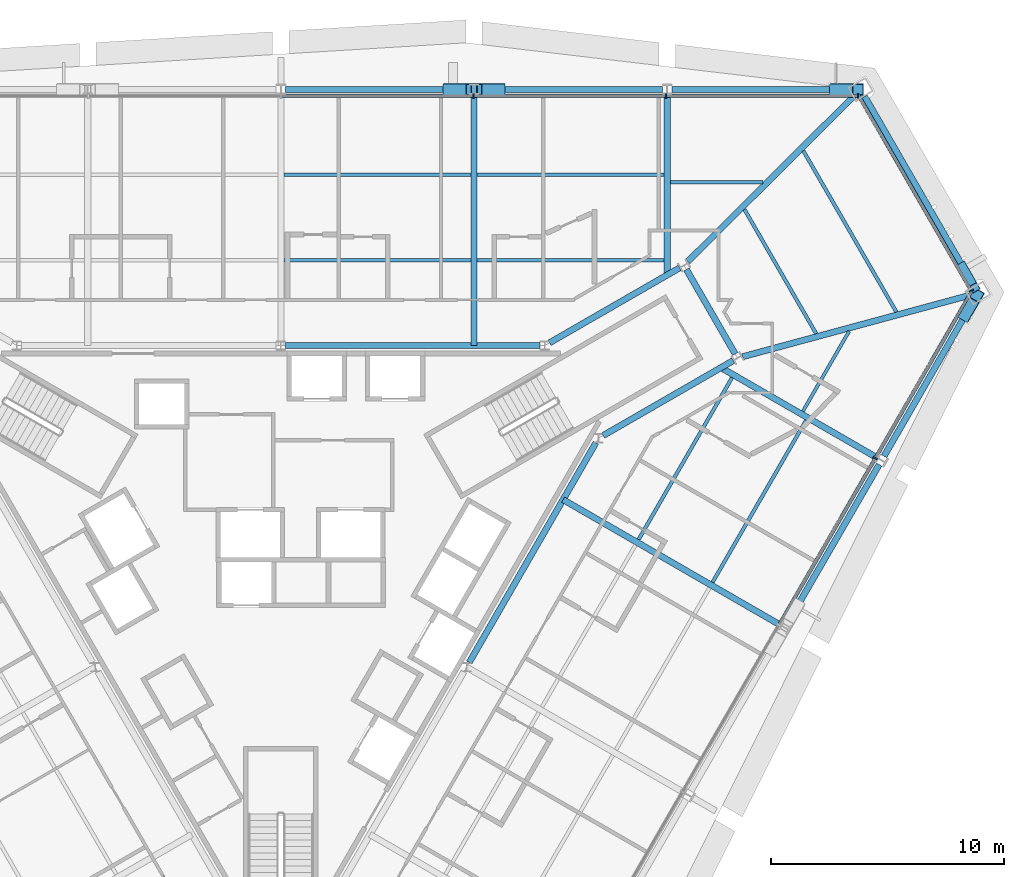
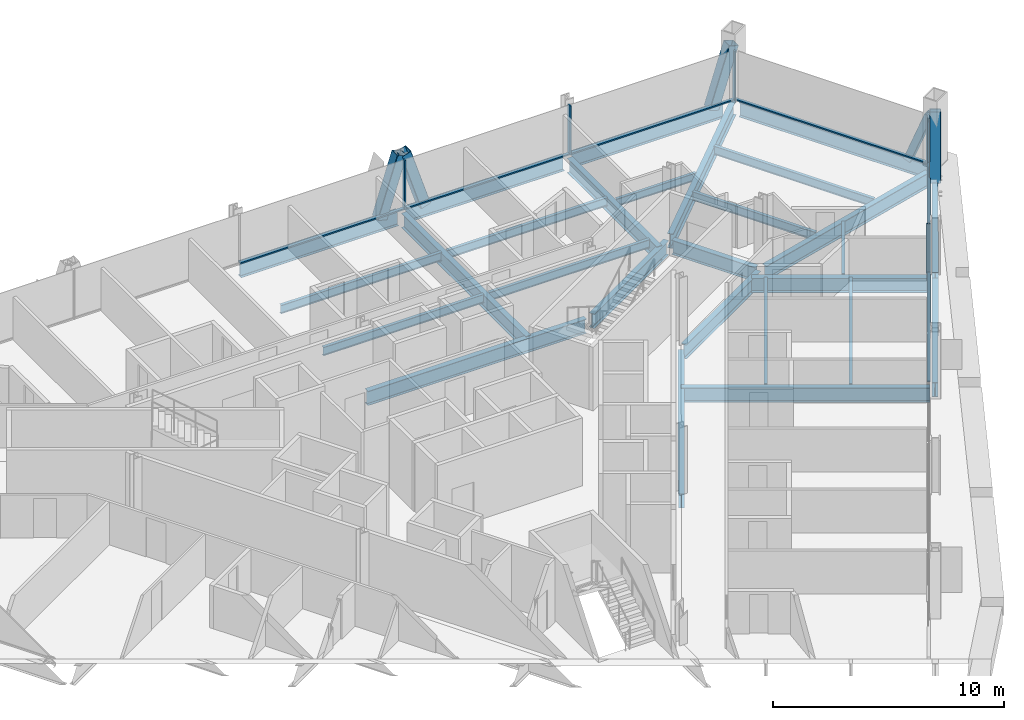
# One storey, part 8 of 17: 27 beams, 16 members, 3 elements without a shape of their own.
"""IFC4 building model written with IfcOpenShell, lengths in metres."""

from ifc_helpers import new_model, si_unit, direction, frame, origin, origin_2d, place, context, subcontext, project, spatial, rectangle, hollow_rectangle, i_section, extrude, material, material_profile, profile_set, type_object, element, aggregate, save


model = new_model("IFC4")

# Units and contexts
model_context = context("Model", 3, precision=1e-05, world=origin(), true_north=direction((0.0, 1.0)))
body_context = subcontext(model_context, "Body", "Model", "MODEL_VIEW")
ifc_project = project(units=[si_unit("LENGTHUNIT", "METRE"), si_unit("AREAUNIT", "SQUARE_METRE"), si_unit("VOLUMEUNIT", "CUBIC_METRE"), si_unit("PLANEANGLEUNIT", "RADIAN"), si_unit("MASSUNIT", "GRAM", prefix="KILO")], contexts=[model_context])

# Site, building, storey
site_placement = place(None, origin())
site = spatial("IfcSite", under=ifc_project, at=site_placement, CompositionType="ELEMENT")
building_placement = place(site_placement, origin())
building = spatial("IfcBuilding", under=site, at=building_placement, Name="Verrane Prism Tower", CompositionType="ELEMENT")
storey_placement = place(building_placement, frame((0.0, 0.0, 139.60009765625)))
storey = spatial("IfcBuildingStorey", under=building, at=storey_placement, Name="L34", CompositionType="ELEMENT", Elevation=139.60009765625)

# Member
ifc_material_1 = material(Name="Steel A500 Grade C", Category="steel")
ifc_material_profile_1 = material_profile(ifc_material_1, hollow_rectangle(XDim=0.355712890625, YDim=0.355712890625, WallThickness=0.0126953125, InnerFilletRadius=0.00634765625, OuterFilletRadius=0.01904296875, at=origin_2d()), Name="HSS14x14x1/2")
ifc_profile_set_1 = profile_set([ifc_material_profile_1], Name="Steel A500 Grade C")
member_type_1 = type_object("IfcMemberType", Name="Chamfer brace HSS14x14x1/2", PredefinedType="BRACE", material=ifc_profile_set_1)
member_1_placement = place(storey_placement, frame((29.258056640625, 12.597900390625, -0.2451171875), z_axis=(0.181434730397, -0.31463252923, 0.931712300099), x_axis=(0.866285721922, 0.499548844452, 0.0)))
element("IfcMember", 1, at=member_1_placement, inside=storey, type_object=member_type_1, Name="Chamfer brace NE0 L34", PredefinedType="BRACE", context=body_context, shape_type="SweptSolid", body=[
    extrude(hollow_rectangle(XDim=0.355712890625, YDim=0.355712890625, WallThickness=0.0126953125, InnerFilletRadius=0.00634765625, OuterFilletRadius=0.01904296875, at=origin_2d()), origin(), (0.0, 0.0, 1.0), 2.9052734375),
])

# Beams
ifc_material_2 = material(Name="Steel A992", Category="steel")
ifc_material_profile_2 = material_profile(ifc_material_2, i_section(OverallWidth=0.2666015625, OverallDepth=0.76708984375, WebThickness=0.014892578125, FlangeThickness=0.023681640625, FilletRadius=0.0166015625, at=origin_2d()), Name="W30x124")
ifc_profile_set_2 = profile_set([ifc_material_profile_2], Name="Steel A992")
beam_type_1 = type_object("IfcBeamType", Name="Chamfer spandrel beam W30x124", PredefinedType="SPANDREL", material=ifc_profile_set_2)
beam_1_placement = place(storey_placement, frame((29.7451171875, 11.753173828125, -0.543701171875), z_axis=(-0.499562619687, 0.866277778205, 0.0), x_axis=(-0.866277778205, -0.499562619687, 0.0)))
element("IfcBeam", 2, at=beam_1_placement, inside=storey, type_object=beam_type_1, Name="Chamfer spandrel beam L34", PredefinedType="SPANDREL", context=body_context, shape_type="SweptSolid", body=[
    extrude(i_section(OverallWidth=0.2666015625, OverallDepth=0.76708984375, WebThickness=0.014892578125, FlangeThickness=0.023681640625, FilletRadius=0.0166015625, at=origin_2d()), origin(), (0.0, 0.0, 1.0), 9.38916015625),
])
ifc_material_3 = material(Name="Steel A992", Category="steel")
ifc_material_profile_3 = material_profile(ifc_material_3, i_section(OverallWidth=0.2666015625, OverallDepth=0.7568359375, WebThickness=0.013916015625, FlangeThickness=0.019287109375, FilletRadius=0.0166015625, at=origin_2d()), Name="W30x108")
ifc_profile_set_3 = profile_set([ifc_material_profile_3], Name="Steel A992")
beam_type_2 = type_object("IfcBeamType", Name="Core ring girder W30x108", PredefinedType="BEAM", material=ifc_profile_set_3)
beam_2_placement = place(storey_placement, frame((13.830810546875, 5.335693359375, -0.628662109375), z_axis=(0.866455532004, 0.499254254924, 0.0), x_axis=(-0.499254254924, 0.866455532004, 0.0)))
element("IfcBeam", 3, at=beam_2_placement, inside=storey, type_object=beam_type_2, Name="Core ring girder L34", PredefinedType="BEAM", context=body_context, shape_type="SweptSolid", body=[
    extrude(i_section(OverallWidth=0.2666015625, OverallDepth=0.7568359375, WebThickness=0.013916015625, FlangeThickness=0.019287109375, FilletRadius=0.0166015625, at=origin_2d()), origin(), (0.0, 0.0, 1.0), 6.441162109375),
])
beam_3_placement = place(storey_placement, frame((19.4970703125, 8.838134765625, -0.628662109375), z_axis=(-0.500367003619, 0.865813410435, 0.0), x_axis=(-0.865813410435, -0.500367003619, 0.0)))
element("IfcBeam", 4, at=beam_3_placement, inside=storey, type_object=beam_type_2, Name="Core ring girder L34", PredefinedType="BEAM", context=body_context, shape_type="SweptSolid", body=[
    extrude(i_section(OverallWidth=0.2666015625, OverallDepth=0.7568359375, WebThickness=0.013916015625, FlangeThickness=0.019287109375, FilletRadius=0.0166015625, at=origin_2d()), origin(), (0.0, 0.0, 1.0), 4.185302734375),
])
beam_4_placement = place(storey_placement, frame((17.11181640625, 12.531494140625, -0.628662109375), z_axis=(-0.866455532004, -0.499254254924, 0.0), x_axis=(0.499254254924, -0.866455532004, 0.0)))
element("IfcBeam", 5, at=beam_4_placement, inside=storey, type_object=beam_type_2, Name="Core ring girder L34", PredefinedType="BEAM", context=body_context, shape_type="SweptSolid", body=[
    extrude(i_section(OverallWidth=0.2666015625, OverallDepth=0.7568359375, WebThickness=0.013916015625, FlangeThickness=0.019287109375, FilletRadius=0.0166015625, at=origin_2d()), origin(), (0.0, 0.0, 1.0), 6.441162109375),
])
beam_5_placement = place(storey_placement, frame((11.12939453125, 9.199951171875, -0.628662109375), z_axis=(-1.0, 0.0, 0.0), x_axis=(0.0, -1.0, 0.0)))
element("IfcBeam", 6, at=beam_5_placement, inside=storey, type_object=beam_type_2, Name="Core ring girder L34", PredefinedType="BEAM", context=body_context, shape_type="SweptSolid", body=[
    extrude(i_section(OverallWidth=0.2666015625, OverallDepth=0.7568359375, WebThickness=0.013916015625, FlangeThickness=0.019287109375, FilletRadius=0.0166015625, at=origin_2d()), origin(), (0.0, 0.0, 1.0), 10.9287109375),
])
beam_6_placement = place(storey_placement, frame((8.0849609375, -4.400634765625, -0.628662109375), z_axis=(0.4993706109, 0.866388476937, 0.0), x_axis=(-0.866388476937, 0.4993706109, 0.0)))
element("IfcBeam", 7, at=beam_6_placement, inside=storey, type_object=beam_type_2, Name="Core ring girder L34", PredefinedType="BEAM", context=body_context, shape_type="SweptSolid", body=[
    extrude(i_section(OverallWidth=0.2666015625, OverallDepth=0.7568359375, WebThickness=0.013916015625, FlangeThickness=0.019287109375, FilletRadius=0.0166015625, at=origin_2d()), origin(), (0.0, 0.0, 1.0), 10.8740234375),
])
ifc_material_4 = material(Name="Steel A992", Category="steel")
ifc_material_profile_4 = material_profile(ifc_material_4, i_section(OverallWidth=0.2666015625, OverallDepth=0.76708984375, WebThickness=0.014892578125, FlangeThickness=0.023681640625, FilletRadius=0.0166015625, at=origin_2d()), Name="W30x124")
ifc_profile_set_4 = profile_set([ifc_material_profile_4], Name="Steel A992")
beam_type_3 = type_object("IfcBeamType", Name="Corner girder W30x124", PredefinedType="BEAM", material=ifc_profile_set_4)
beam_7_placement = place(storey_placement, frame((29.470458984375, 11.32861328125, -0.603515625), z_axis=(-0.965337296085, -0.261005564666, 0.0), x_axis=(0.261005564666, -0.965337296085, 0.0)))
element("IfcBeam", 8, at=beam_7_placement, inside=storey, type_object=beam_type_3, Name="Corner girder L34", PredefinedType="BEAM", context=body_context, shape_type="SweptSolid", body=[
    extrude(i_section(OverallWidth=0.2666015625, OverallDepth=0.76708984375, WebThickness=0.014892578125, FlangeThickness=0.023681640625, FilletRadius=0.0166015625, at=origin_2d()), origin(), (0.0, 0.0, 1.0), 10.000244140625),
])
beam_8_placement = place(storey_placement, frame((24.87744140625, 20.1875, -0.603515625), z_axis=(-0.708504451499, -0.705706342756, 0.0), x_axis=(0.705706342756, -0.708504451499, 0.0)))
element("IfcBeam", 9, at=beam_8_placement, inside=storey, type_object=beam_type_3, Name="Corner girder L34", PredefinedType="BEAM", context=body_context, shape_type="SweptSolid", body=[
    extrude(i_section(OverallWidth=0.2666015625, OverallDepth=0.76708984375, WebThickness=0.014892578125, FlangeThickness=0.023681640625, FilletRadius=0.0166015625, at=origin_2d()), origin(), (0.0, 0.0, 1.0), 10.47021484375),
])

# Members
ifc_material_5 = material(Name="Steel A1085 Grade A", Category="steel")
ifc_material_profile_5 = material_profile(ifc_material_5, hollow_rectangle(XDim=0.508056640625, YDim=0.508056640625, WallThickness=0.025390625, InnerFilletRadius=0.0126953125, OuterFilletRadius=0.0380859375, at=origin_2d()), Name="HSS20x20x1")
ifc_profile_set_5 = profile_set([ifc_material_profile_5], Name="Steel A1085 Grade A")
member_type_2 = type_object("IfcMemberType", Name="Facade brace HSS20x20x1", PredefinedType="BRACE", material=ifc_profile_set_5)
for number, where, z_axis, x_axis, name in (
    (10, (23.7890625, 20.18994140625, -0.24267578125), (0.304789478782, 0.0, 0.952419746553), (0.0, 1.0, 0.0), "Facade brace N0 L34"),
    (11, (9.379638671875, 20.18994140625, -0.24267578125), (-0.304926985074, 0.0, 0.952375731407), (0.0, -1.0, 0.0), "Facade brace N1 L34"),
):
    element("IfcMember", number, at=place(storey_placement, frame(where, z_axis=z_axis, x_axis=x_axis)), inside=storey, type_object=member_type_2, Name=name, PredefinedType="BRACE", context=body_context, shape_type="SweptSolid", body=[
        extrude(hollow_rectangle(XDim=0.508056640625, YDim=0.508056640625, WallThickness=0.025390625, InnerFilletRadius=0.0126953125, OuterFilletRadius=0.0380859375, at=origin_2d()), origin(), (0.0, 0.0, 1.0), 3.220947265625),
    ])
member_2_placement = place(storey_placement, frame((7.20068359375, 20.18994140625, -0.24267578125), z_axis=(0.305888994956, 0.0, 0.952067183955), x_axis=(0.0, 1.0, 0.0)))
element("IfcMember", 12, at=member_2_placement, inside=storey, type_object=member_type_2, Name="Facade brace N2 L34", PredefinedType="BRACE", context=body_context, shape_type="SweptSolid", body=[
    extrude(hollow_rectangle(XDim=0.508056640625, YDim=0.508056640625, WallThickness=0.025390625, InnerFilletRadius=0.0126953125, OuterFilletRadius=0.0380859375, at=origin_2d()), origin(), (0.0, 0.0, 1.0), 3.22216796875),
])
member_3_placement = place(storey_placement, frame((29.3759765625, 10.506591796875, -0.24267578125), z_axis=(0.153391848025, 0.26396433136, 0.952257198833), x_axis=(-0.864615031163, 0.502434919056, 0.0)))
element("IfcMember", 13, at=member_3_placement, inside=storey, type_object=member_type_2, Name="Facade brace SE5 L34", PredefinedType="BRACE", context=body_context, shape_type="SweptSolid", body=[
    extrude(hollow_rectangle(XDim=0.508056640625, YDim=0.508056640625, WallThickness=0.025390625, InnerFilletRadius=0.0126953125, OuterFilletRadius=0.0380859375, at=origin_2d()), origin(), (0.0, 0.0, 1.0), 3.221435546875),
])

# Beams
ifc_material_6 = material(Name="Steel A992", Category="steel")
ifc_material_profile_6 = material_profile(ifc_material_6, i_section(OverallWidth=0.140380859375, OverallDepth=0.40380859375, WebThickness=0.007080078125, FlangeThickness=0.01123046875, FilletRadius=0.01025390625, at=origin_2d()), Name="W16x31")
ifc_profile_set_6 = profile_set([ifc_material_profile_6], Name="Steel A992")
beam_type_4 = type_object("IfcBeamType", Name="Floor beam W16x31", PredefinedType="BEAM", material=ifc_profile_set_6)
beam_9_placement = place(storey_placement, frame((16.71337890625, 16.2099609375, -0.362060546875), z_axis=(1.0, 0.0, 0.0), x_axis=(0.0, 1.0, 0.0)))
element("IfcBeam", 14, at=beam_9_placement, inside=storey, type_object=beam_type_4, Name="Floor beam L34", PredefinedType="BEAM", context=body_context, shape_type="SweptSolid", body=[
    extrude(i_section(OverallWidth=0.140380859375, OverallDepth=0.40380859375, WebThickness=0.007080078125, FlangeThickness=0.01123046875, FilletRadius=0.01025390625, at=origin_2d()), origin(), (0.0, 0.0, 1.0), 3.981689453125),
])
beam_10_placement = place(storey_placement, frame((22.40185546875, 6.37548828125, -0.362060546875), z_axis=(0.499972468829, 0.86604129833, 0.0), x_axis=(-0.86604129833, 0.499972468829, 0.0)))
element("IfcBeam", 15, at=beam_10_placement, inside=storey, type_object=beam_type_4, Name="Floor beam L34", PredefinedType="BEAM", context=body_context, shape_type="SweptSolid", body=[
    extrude(i_section(OverallWidth=0.140380859375, OverallDepth=0.40380859375, WebThickness=0.007080078125, FlangeThickness=0.01123046875, FilletRadius=0.01025390625, at=origin_2d()), origin(), (0.0, 0.0, 1.0), 3.972900390625),
])
ifc_material_7 = material(Name="Steel A992", Category="steel")
ifc_material_profile_7 = material_profile(ifc_material_7, i_section(OverallWidth=0.15234375, OverallDepth=0.449462890625, WebThickness=0.007568359375, FlangeThickness=0.0107421875, FilletRadius=0.01025390625, at=origin_2d()), Name="W18x35")
ifc_profile_set_7 = profile_set([ifc_material_profile_7], Name="Steel A992")
beam_type_5 = type_object("IfcBeamType", Name="Floor beam W18x35", PredefinedType="BEAM", material=ifc_profile_set_7)
for number, where, z_axis, x_axis, name in (
    (16, (8.423583984375, 12.86328125, -0.385009765625), (1.0, 0.0, 0.0), (0.0, 1.0, 0.0), "Floor beam L34"),
    (17, (8.423583984375, 16.526611328125, -0.385009765625), (1.0, 0.0, 0.0), (0.0, 1.0, 0.0), "Floor beam L34"),
    (18, (0.133544921875, 12.86328125, -0.385009765625), (1.0, 0.0, 0.0), (0.0, 1.0, 0.0), "Floor beam L34"),
    (19, (0.133544921875, 16.526611328125, -0.385009765625), (1.0, 0.0, 0.0), (0.0, 1.0, 0.0), "Floor beam L34"),
):
    element("IfcBeam", number, at=place(storey_placement, frame(where, z_axis=z_axis, x_axis=x_axis)), inside=storey, type_object=beam_type_5, Name=name, PredefinedType="BEAM", context=body_context, shape_type="SweptSolid", body=[
        extrude(i_section(OverallWidth=0.15234375, OverallDepth=0.449462890625, WebThickness=0.007568359375, FlangeThickness=0.0107421875, FilletRadius=0.01025390625, at=origin_2d()), origin(), (0.0, 0.0, 1.0), 8.02294921875),
    ])
beam_11_placement = place(storey_placement, frame((18.525634765625, -0.96240234375, -0.385009765625), z_axis=(0.499996300355, 0.866027539765, 0.0), x_axis=(-0.866027539765, 0.499996300355, 0.0)))
element("IfcBeam", 20, at=beam_11_placement, inside=storey, type_object=beam_type_5, Name="Floor beam L34", PredefinedType="BEAM", context=body_context, shape_type="SweptSolid", body=[
    extrude(i_section(OverallWidth=0.15234375, OverallDepth=0.449462890625, WebThickness=0.007568359375, FlangeThickness=0.0107421875, FilletRadius=0.01025390625, at=origin_2d()), origin(), (0.0, 0.0, 1.0), 8.02587890625),
])
beam_12_placement = place(storey_placement, frame((15.351318359375, 0.87158203125, -0.385009765625), z_axis=(0.499986657325, 0.866033107044, 0.0), x_axis=(-0.866033107044, 0.499986657325, 0.0)))
element("IfcBeam", 21, at=beam_12_placement, inside=storey, type_object=beam_type_5, Name="Floor beam L34", PredefinedType="BEAM", context=body_context, shape_type="SweptSolid", body=[
    extrude(i_section(OverallWidth=0.15234375, OverallDepth=0.449462890625, WebThickness=0.007568359375, FlangeThickness=0.0107421875, FilletRadius=0.01025390625, at=origin_2d()), origin(), (0.0, 0.0, 1.0), 8.025634765625),
])
beam_13_placement = place(storey_placement, frame((26.413818359375, 10.640380859375, -0.385009765625), z_axis=(-0.500003955024, 0.866023120338, 0.0), x_axis=(-0.866023120338, -0.500003955024, 0.0)))
element("IfcBeam", 22, at=beam_13_placement, inside=storey, type_object=beam_type_5, Name="Floor beam L34", PredefinedType="BEAM", context=body_context, shape_type="SweptSolid", body=[
    extrude(i_section(OverallWidth=0.15234375, OverallDepth=0.449462890625, WebThickness=0.007568359375, FlangeThickness=0.0107421875, FilletRadius=0.01025390625, at=origin_2d()), origin(), (0.0, 0.0, 1.0), 7.98291015625),
])
beam_14_placement = place(storey_placement, frame((22.971435546875, 9.709716796875, -0.385009765625), z_axis=(-0.499989277538, 0.866031594312, 0.0), x_axis=(-0.866031594312, -0.499989277538, 0.0)))
element("IfcBeam", 23, at=beam_14_placement, inside=storey, type_object=beam_type_5, Name="Floor beam L34", PredefinedType="BEAM", context=body_context, shape_type="SweptSolid", body=[
    extrude(i_section(OverallWidth=0.15234375, OverallDepth=0.449462890625, WebThickness=0.007568359375, FlangeThickness=0.0107421875, FilletRadius=0.01025390625, at=origin_2d()), origin(), (0.0, 0.0, 1.0), 6.151611328125),
])

# Curtain wall, member
ifc_material_8 = material(Name="Aluminium framed insulated glazing", Category="aluminium")
curtain_wall_type = type_object("IfcCurtainWallType", Name="Curtain wall CW-A 8400 module", PredefinedType="NOTDEFINED", material=ifc_material_8)
curtain_wall_1_placement = place(storey_placement, origin())
curtain_wall_1 = element("IfcCurtainWall", 24, at=curtain_wall_1_placement, inside=storey, type_object=curtain_wall_type, Name="Glazed curtain wall north-east corner L34", PredefinedType="NOTDEFINED")
ifc_material_9 = material(Name="Aluminium alloy 6063-T6", Category="aluminium")
ifc_material_profile_8 = material_profile(ifc_material_9, rectangle(XDim=0.199951171875, YDim=0.070068359375, at=origin_2d()), Name="Mullion 70x200 aluminium")
ifc_profile_set_8 = profile_set([ifc_material_profile_8], Name="Aluminium alloy 6063-T6")
member_type_3 = type_object("IfcMemberType", Name="Mullion 70x200 aluminium", PredefinedType="MULLION", material=ifc_profile_set_8)
member_4_placement = place(storey_placement, frame((29.62744140625, 11.554931640625, 0.0), z_axis=(0.0, 0.0, 1.0), x_axis=(-0.866027551544, -0.499996279953, 0.0)))
member_4 = element("IfcMember", 25, at=member_4_placement, type_object=member_type_3, Name="CW32.1 mullion 1", PredefinedType="MULLION", context=body_context, shape_type="SweptSolid", body=[
    extrude(rectangle(XDim=0.199951171875, YDim=0.070068359375, at=origin_2d()), origin(), (0.0, 0.0, 1.0), 2.61279296875),
])

# Curtain wall, members
curtain_wall_2_placement = place(storey_placement, origin())
curtain_wall_2 = element("IfcCurtainWall", 26, at=curtain_wall_2_placement, inside=storey, type_object=curtain_wall_type, Name="Glazed curtain wall north face L34", PredefinedType="NOTDEFINED")
member_5_placement = place(storey_placement, frame((24.76806640625, 19.910888671875, 0.0), z_axis=(0.0, 0.0, 1.0), x_axis=(0.0, -1.0, 0.0)))
member_5 = element("IfcMember", 27, at=member_5_placement, type_object=member_type_3, Name="CW32.2 mullion 1", PredefinedType="MULLION", context=body_context, shape_type="SweptSolid", body=[
    extrude(rectangle(XDim=0.199951171875, YDim=0.070068359375, at=origin_2d()), origin(), (0.0, 0.0, 1.0), 2.61279296875),
])
member_6_placement = place(storey_placement, frame((16.535400390625, 19.910888671875, 0.0), z_axis=(0.0, 0.0, 1.0), x_axis=(0.0, -1.0, 0.0)))
member_6 = element("IfcMember", 28, at=member_6_placement, type_object=member_type_3, Name="CW32.2 mullion 2", PredefinedType="MULLION", context=body_context, shape_type="SweptSolid", body=[
    extrude(rectangle(XDim=0.199951171875, YDim=0.070068359375, at=origin_2d()), origin(), (0.0, 0.0, 1.0), 2.61279296875),
])
member_7_placement = place(storey_placement, frame((8.267578125, 19.910888671875, 0.0), z_axis=(0.0, 0.0, 1.0), x_axis=(0.0, -1.0, 0.0)))
member_7 = element("IfcMember", 29, at=member_7_placement, type_object=member_type_3, Name="CW32.2 mullion 3", PredefinedType="MULLION", context=body_context, shape_type="SweptSolid", body=[
    extrude(rectangle(XDim=0.199951171875, YDim=0.070068359375, at=origin_2d()), origin(), (0.0, 0.0, 1.0), 2.61279296875),
])

# Curtain wall, member
curtain_wall_3_placement = place(storey_placement, origin())
curtain_wall_3 = element("IfcCurtainWall", 30, at=curtain_wall_3_placement, inside=storey, type_object=curtain_wall_type, Name="Glazed curtain wall south-east face L34", PredefinedType="NOTDEFINED")
member_8_placement = place(storey_placement, frame((25.510986328125, 4.364501953125, 0.0), z_axis=(0.0, 0.0, 1.0), x_axis=(-0.866025120648, 0.500000490406, 0.0)))
member_8 = element("IfcMember", 31, at=member_8_placement, type_object=member_type_3, Name="CW32.6 mullion 6", PredefinedType="MULLION", context=body_context, shape_type="SweptSolid", body=[
    extrude(rectangle(XDim=0.199951171875, YDim=0.070068359375, at=origin_2d()), origin(), (0.0, 0.0, 1.0), 2.61279296875),
])

# Beams
ifc_material_10 = material(Name="Steel A992", Category="steel")
ifc_material_profile_9 = material_profile(ifc_material_10, i_section(OverallWidth=0.2666015625, OverallDepth=0.76708984375, WebThickness=0.014892578125, FlangeThickness=0.023681640625, FilletRadius=0.0166015625, at=origin_2d()), Name="W30x124")
ifc_profile_set_9 = profile_set([ifc_material_profile_9], Name="Steel A992")
beam_type_6 = type_object("IfcBeamType", Name="Radial girder W30x124", PredefinedType="BEAM", material=ifc_profile_set_9)
beam_15_placement = place(storey_placement, frame((16.580078125, 19.962646484375, -0.603515625), z_axis=(0.0, -1.0, 0.0), x_axis=(1.0, 0.0, 0.0)))
element("IfcBeam", 32, at=beam_15_placement, inside=storey, type_object=beam_type_6, Name="Radial girder L34", PredefinedType="BEAM", context=body_context, shape_type="SweptSolid", body=[
    extrude(i_section(OverallWidth=0.2666015625, OverallDepth=0.76708984375, WebThickness=0.014892578125, FlangeThickness=0.023681640625, FilletRadius=0.0166015625, at=origin_2d()), origin(), (0.0, 0.0, 1.0), 7.737548828125),
])
beam_16_placement = place(storey_placement, frame((8.2900390625, 19.962646484375, -0.603515625), z_axis=(0.0, -1.0, 0.0), x_axis=(1.0, 0.0, 0.0)))
element("IfcBeam", 33, at=beam_16_placement, inside=storey, type_object=beam_type_6, Name="Radial girder L34", PredefinedType="BEAM", context=body_context, shape_type="SweptSolid", body=[
    extrude(i_section(OverallWidth=0.2666015625, OverallDepth=0.76708984375, WebThickness=0.014892578125, FlangeThickness=0.023681640625, FilletRadius=0.0166015625, at=origin_2d()), origin(), (0.0, 0.0, 1.0), 10.7626953125),
])
beam_17_placement = place(storey_placement, frame((21.43310546875, -2.79638671875, -0.603515625), z_axis=(-0.866023543838, 0.500003221507, 0.0), x_axis=(-0.500003221507, -0.866023543838, 0.0)))
element("IfcBeam", 34, at=beam_17_placement, inside=storey, type_object=beam_type_6, Name="Radial girder L34", PredefinedType="BEAM", context=body_context, shape_type="SweptSolid", body=[
    extrude(i_section(OverallWidth=0.2666015625, OverallDepth=0.76708984375, WebThickness=0.014892578125, FlangeThickness=0.023681640625, FilletRadius=0.0166015625, at=origin_2d()), origin(), (0.0, 0.0, 1.0), 10.763671875),
])
beam_18_placement = place(storey_placement, frame((25.5830078125, 4.3837890625, -0.603515625), z_axis=(-0.866023094746, 0.500003999351, 0.0), x_axis=(-0.500003999351, -0.866023094746, 0.0)))
element("IfcBeam", 35, at=beam_18_placement, inside=storey, type_object=beam_type_6, Name="Radial girder L34", PredefinedType="BEAM", context=body_context, shape_type="SweptSolid", body=[
    extrude(i_section(OverallWidth=0.2666015625, OverallDepth=0.76708984375, WebThickness=0.014892578125, FlangeThickness=0.023681640625, FilletRadius=0.0166015625, at=origin_2d()), origin(), (0.0, 0.0, 1.0), 7.7314453125),
])
ifc_material_11 = material(Name="Steel A992", Category="steel")
ifc_material_profile_10 = material_profile(ifc_material_11, i_section(OverallWidth=0.2666015625, OverallDepth=0.7568359375, WebThickness=0.013916015625, FlangeThickness=0.019287109375, FilletRadius=0.0166015625, at=origin_2d()), Name="W30x108")
ifc_profile_set_10 = profile_set([ifc_material_profile_10], Name="Steel A992")
beam_type_7 = type_object("IfcBeamType", Name="Spandrel beam W30x108", PredefinedType="SPANDREL", material=ifc_profile_set_10)
beam_19_placement = place(storey_placement, frame((24.3603515625, 20.18994140625, -0.53857421875), z_axis=(-1.0, 0.0, 0.0), x_axis=(0.0, -1.0, 0.0)))
element("IfcBeam", 36, at=beam_19_placement, inside=storey, type_object=beam_type_7, Name="Spandrel beam L34", PredefinedType="SPANDREL", context=body_context, shape_type="SweptSolid", body=[
    extrude(i_section(OverallWidth=0.2666015625, OverallDepth=0.7568359375, WebThickness=0.013916015625, FlangeThickness=0.019287109375, FilletRadius=0.0166015625, at=origin_2d()), origin(), (0.0, 0.0, 1.0), 7.57080078125),
])
for number, where, z_axis, x_axis, name in (
    (37, (16.370361328125, 20.18994140625, -0.53857421875), (-1.0, 0.0, 0.0), (0.0, -1.0, 0.0), "Spandrel beam L34"),
    (38, (8.080322265625, 20.18994140625, -0.53857421875), (-1.0, 0.0, 0.0), (0.0, -1.0, 0.0), "Spandrel beam L34"),
):
    element("IfcBeam", number, at=place(storey_placement, frame(where, z_axis=z_axis, x_axis=x_axis)), inside=storey, type_object=beam_type_7, Name=name, PredefinedType="SPANDREL", context=body_context, shape_type="SweptSolid", body=[
        extrude(i_section(OverallWidth=0.2666015625, OverallDepth=0.7568359375, WebThickness=0.013916015625, FlangeThickness=0.019287109375, FilletRadius=0.0166015625, at=origin_2d()), origin(), (0.0, 0.0, 1.0), 7.870849609375),
    ])
beam_20_placement = place(storey_placement, frame((21.73486328125, -2.728515625, -0.53857421875), z_axis=(0.500410353056, 0.865788356675, 0.0), x_axis=(-0.865788356675, 0.500410353056, 0.0)))
element("IfcBeam", 39, at=beam_20_placement, inside=storey, type_object=beam_type_7, Name="Spandrel beam L34", PredefinedType="SPANDREL", context=body_context, shape_type="SweptSolid", body=[
    extrude(i_section(OverallWidth=0.2666015625, OverallDepth=0.7568359375, WebThickness=0.013916015625, FlangeThickness=0.019287109375, FilletRadius=0.0166015625, at=origin_2d()), origin(), (0.0, 0.0, 1.0), 7.8740234375),
])
beam_21_placement = place(storey_placement, frame((25.884765625, 4.451416015625, -0.53857421875), z_axis=(0.499498748006, 0.866314608408, 0.0), x_axis=(-0.866314608408, 0.499498748006, 0.0)))
element("IfcBeam", 40, at=beam_21_placement, inside=storey, type_object=beam_type_7, Name="Spandrel beam L34", PredefinedType="SPANDREL", context=body_context, shape_type="SweptSolid", body=[
    extrude(i_section(OverallWidth=0.2666015625, OverallDepth=0.7568359375, WebThickness=0.013916015625, FlangeThickness=0.019287109375, FilletRadius=0.0166015625, at=origin_2d()), origin(), (0.0, 0.0, 1.0), 7.558837890625),
])

# Member
ifc_material_12 = material(Name="Aluminium alloy 6063-T6", Category="aluminium")
ifc_material_profile_11 = material_profile(ifc_material_12, rectangle(XDim=0.14990234375, YDim=0.070068359375, at=origin_2d()), Name="Transom 70x150 aluminium")
ifc_profile_set_11 = profile_set([ifc_material_profile_11], Name="Aluminium alloy 6063-T6")
member_type_4 = type_object("IfcMemberType", Name="Transom 70x150 aluminium", PredefinedType="USERDEFINED", material=ifc_profile_set_11)
member_9_placement = place(storey_placement, frame((29.60986328125, 11.585205078125, 0.034912109375), z_axis=(-0.500003830592, 0.86602319218, 0.0), x_axis=(-0.86602319218, -0.500003830592, 0.0)))
member_9 = element("IfcMember", 41, at=member_9_placement, type_object=member_type_4, Name="CW32.1 transom 1", ObjectType="TRANSOM", PredefinedType="USERDEFINED", context=body_context, shape_type="SweptSolid", body=[
    extrude(rectangle(XDim=0.14990234375, YDim=0.070068359375, at=origin_2d()), origin(), (0.0, 0.0, 1.0), 9.61376953125),
])

aggregate(curtain_wall_1, [member_4, member_9])

member_10_placement = place(storey_placement, frame((24.73291015625, 19.910888671875, 0.034912109375), z_axis=(-1.0, 0.0, 0.0), x_axis=(0.0, -1.0, 0.0)))
member_10 = element("IfcMember", 42, at=member_10_placement, type_object=member_type_4, Name="CW32.2 transom 1", ObjectType="TRANSOM", PredefinedType="USERDEFINED", context=body_context, shape_type="SweptSolid", body=[
    extrude(rectangle(XDim=0.14990234375, YDim=0.070068359375, at=origin_2d()), origin(), (0.0, 0.0, 1.0), 8.16259765625),
])

member_11_placement = place(storey_placement, frame((16.500244140625, 19.910888671875, 0.034912109375), z_axis=(-1.0, 0.0, 0.0), x_axis=(0.0, -1.0, 0.0)))
member_11 = element("IfcMember", 43, at=member_11_placement, type_object=member_type_4, Name="CW32.2 transom 2", ObjectType="TRANSOM", PredefinedType="USERDEFINED", context=body_context, shape_type="SweptSolid", body=[
    extrude(rectangle(XDim=0.14990234375, YDim=0.070068359375, at=origin_2d()), origin(), (0.0, 0.0, 1.0), 8.197509765625),
])

member_12_placement = place(storey_placement, frame((8.232666015625, 19.910888671875, 0.034912109375), z_axis=(-1.0, 0.0, 0.0), x_axis=(0.0, -1.0, 0.0)))
member_12 = element("IfcMember", 44, at=member_12_placement, type_object=member_type_4, Name="CW32.2 transom 3", ObjectType="TRANSOM", PredefinedType="USERDEFINED", context=body_context, shape_type="SweptSolid", body=[
    extrude(rectangle(XDim=0.14990234375, YDim=0.070068359375, at=origin_2d()), origin(), (0.0, 0.0, 1.0), 8.19775390625),
])

aggregate(curtain_wall_2, [member_5, member_6, member_7, member_10, member_11, member_12])

member_13_placement = place(storey_placement, frame((21.394775390625, -2.76513671875, 0.034912109375), z_axis=(0.500005171338, 0.866022418091, 0.0), x_axis=(-0.866022418091, 0.500005171338, 0.0)))
member_13 = element("IfcMember", 45, at=member_13_placement, type_object=member_type_4, Name="CW32.6 transom 5", ObjectType="TRANSOM", PredefinedType="USERDEFINED", context=body_context, shape_type="SweptSolid", body=[
    extrude(rectangle(XDim=0.14990234375, YDim=0.070068359375, at=origin_2d()), origin(), (0.0, 0.0, 1.0), 8.19775390625),
])

member_14_placement = place(storey_placement, frame((25.528564453125, 4.394775390625, 0.034912109375), z_axis=(0.500014236345, 0.866017184271, 0.0), x_axis=(-0.866017184271, 0.500014236345, 0.0)))
member_14 = element("IfcMember", 46, at=member_14_placement, type_object=member_type_4, Name="CW32.6 transom 6", ObjectType="TRANSOM", PredefinedType="USERDEFINED", context=body_context, shape_type="SweptSolid", body=[
    extrude(rectangle(XDim=0.14990234375, YDim=0.070068359375, at=origin_2d()), origin(), (0.0, 0.0, 1.0), 8.232666015625),
])

aggregate(curtain_wall_3, [member_8, member_13, member_14])

save(model, "model.ifc")
